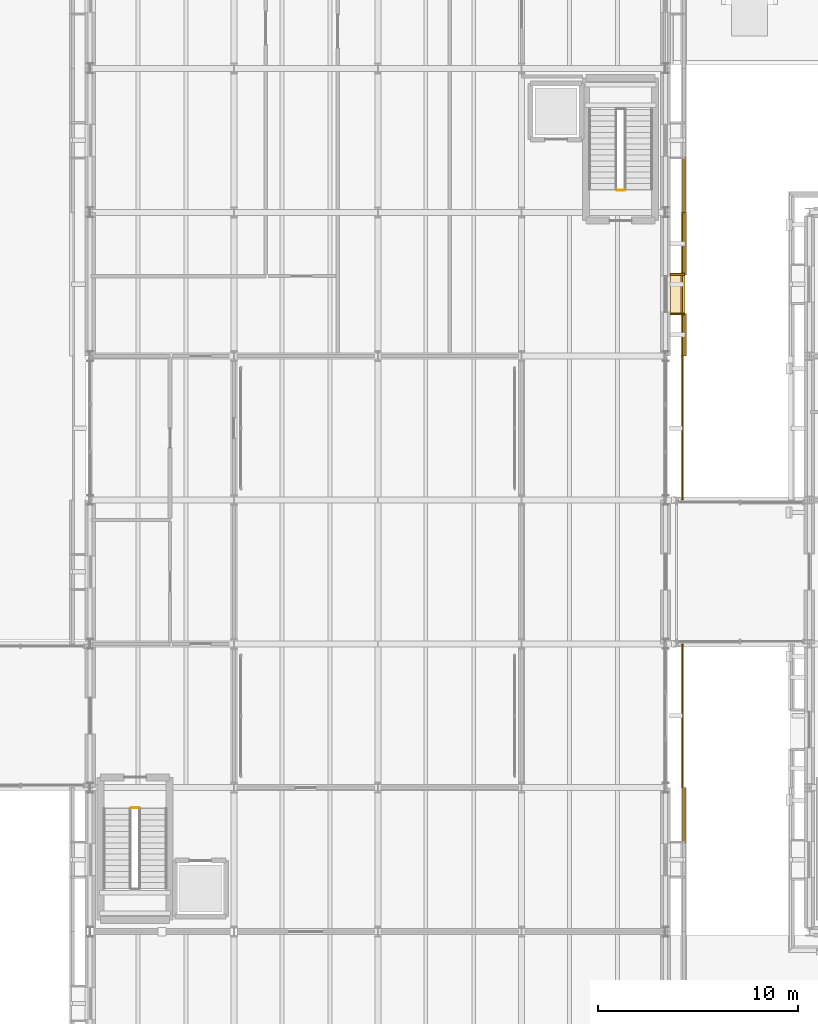
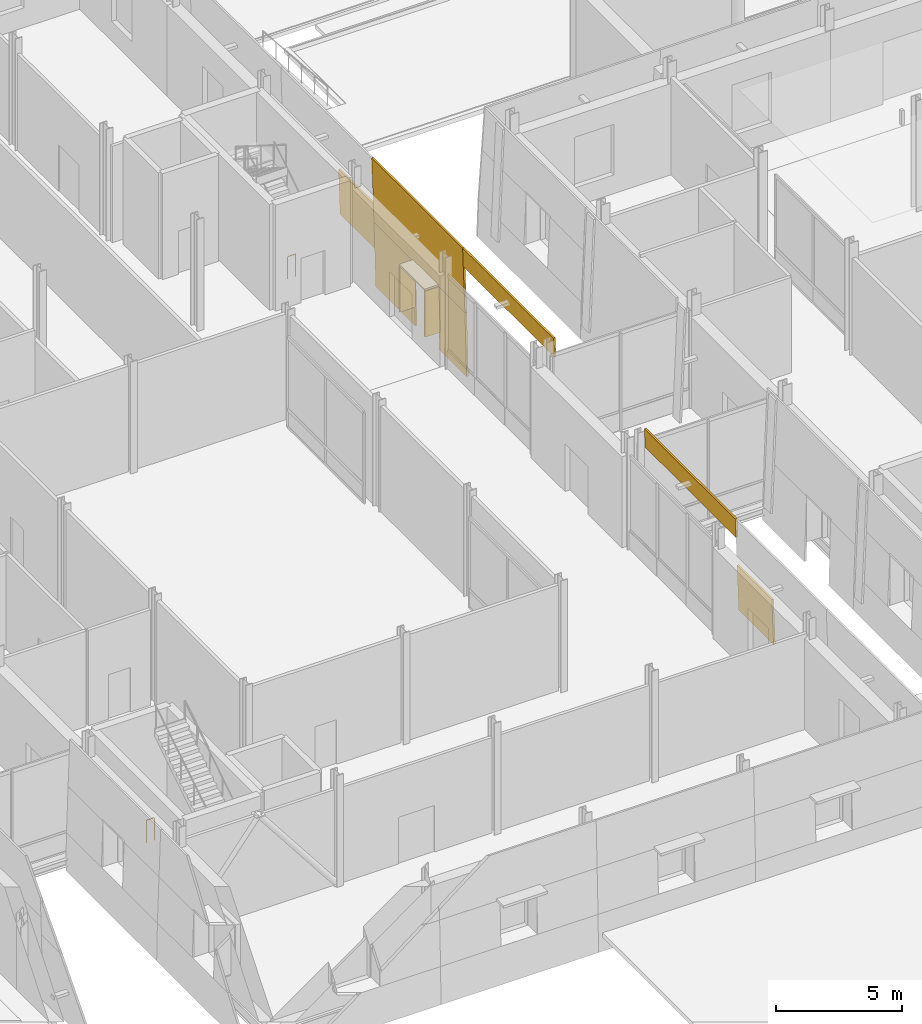
# One storey, part 108 of 120: 10 coverings, 2 railings.
"""IFC4 building model written with IfcOpenShell, lengths in metres."""

from ifc_helpers import new_model, si_unit, direction, frame, origin, origin_2d, place, context, subcontext, project, spatial, polyline, circle, outline, extrude, material, layer, layer_set, type_object, element, save


model = new_model("IFC4")

# Units and contexts
model_context = context("Model", 3, precision=1e-05, world=origin(), true_north=direction((0.0, 1.0)))
body_context = subcontext(model_context, "Body", "Model", "MODEL_VIEW")
ifc_project = project(units=[si_unit("LENGTHUNIT", "METRE"), si_unit("AREAUNIT", "SQUARE_METRE"), si_unit("VOLUMEUNIT", "CUBIC_METRE"), si_unit("PLANEANGLEUNIT", "RADIAN"), si_unit("MASSUNIT", "GRAM", prefix="KILO")], contexts=[model_context])

# Site, building, storey
site_placement = place(None, origin())
site = spatial("IfcSite", under=ifc_project, at=site_placement, CompositionType="ELEMENT")
building_placement = place(site_placement, origin())
building = spatial("IfcBuilding", under=site, at=building_placement, Name="Narikvali Park Central Library", CompositionType="ELEMENT")
storey_placement = place(building_placement, origin())
storey = spatial("IfcBuildingStorey", under=building, at=storey_placement, Name="L00", CompositionType="ELEMENT", Elevation=0.0)

# Coverings
ifc_material_1 = material(Name="White Honed Limestone Cladding", Category="masonry")
ifc_layer_1 = layer(ifc_material_1, 0.0849609375, Name="White Honed Limestone Cladding")
ifc_layer_set_1 = layer_set([ifc_layer_1], Name="White Honed Limestone Cladding")
covering_type_1 = type_object("IfcCoveringType", Name="Battered White Limestone Facade Cladding Panel", PredefinedType="CLADDING", material=ifc_layer_set_1)
covering_1_placement = place(storey_placement, frame((58.60791015625, 62.0400390625, 0.949951171875), z_axis=(0.999435139525, 0.0, 0.033606574995), x_axis=(0.0, 1.0, 0.0)))
element("IfcCovering", 1, at=covering_1_placement, inside=storey, type_object=covering_type_1, Name="V4 L00 E Battered Limestone Jamb Pier R B02", PredefinedType="CLADDING", context=body_context, shape_type="SweptSolid", body=[
    extrude(outline(polyline([(0.0, 0.0), (2.760009765625, 0.0), (2.760009765625, 2.201194539668489), (0.0, 2.201194539668489), (0.0, 0.0)])), origin(), (0.0, 0.0, -1.0), 0.0849609375),
])
for number, where, z_axis, x_axis, name in (
    (2, (58.48828125, 64.800048828125, 4.5), (0.999434628015, 0.0, 0.033621783471), (0.0, 1.0, 0.0), "V4 L00 E Battered Limestone Spandrel Header B03"),
    (3, (58.48828125, 79.199951171875, 4.5), (0.999434628015, 0.0, 0.033621783471), (0.0, 1.0, 0.0), "V4 L00 E Battered Limestone Spandrel Header B05"),
):
    element("IfcCovering", number, at=place(storey_placement, frame(where, z_axis=z_axis, x_axis=x_axis)), inside=storey, type_object=covering_type_1, Name=name, PredefinedType="CLADDING", context=body_context, shape_type="SweptSolid", body=[
        extrude(outline(polyline([(0.0, 0.0), (7.199951171875, 0.0), (7.199951171875, 0.9004114111364925), (0.0, 0.9004114111364925), (0.0, 0.0)])), origin(), (0.0, 0.0, -1.0), 0.0849609375),
    ])
covering_2_placement = place(storey_placement, frame((58.639892578125, 86.39990234375, -0.8798828125), z_axis=(0.999707784782, 0.0, 0.024173229947), x_axis=(0.0, 1.0, 0.0)))
element("IfcCovering", 4, at=covering_2_placement, inside=storey, type_object=covering_type_1, Name="V4 L00 E Battered Portal Pier L B06", PredefinedType="CLADDING", context=body_context, shape_type="SweptSolid", body=[
    extrude(outline(polyline([(0.0, 0.0), (2.14013671875, 0.0), (2.14013671875, 3.120784987740248), (0.0, 3.120784987740248), (0.0, 0.0)])), origin(), (0.0, 0.0, -1.0), 0.0849609375),
])
covering_3_placement = place(storey_placement, frame((58.639892578125, 90.4599609375, -0.8798828125), z_axis=(0.999707784782, 0.0, 0.024173229947), x_axis=(0.0, 1.0, 0.0)))
element("IfcCovering", 5, at=covering_3_placement, inside=storey, type_object=covering_type_1, Name="V4 L00 E Battered Portal Pier R B06", PredefinedType="CLADDING", context=body_context, shape_type="SweptSolid", body=[
    extrude(outline(polyline([(0.0, 0.0), (3.14013671875, 0.0), (3.14013671875, 3.1207849877402474), (0.0, 3.1207849877402474), (0.0, 0.0)])), origin(), (0.0, 0.0, -1.0), 0.0849609375),
])
covering_4_placement = place(storey_placement, frame((58.564453125, 86.39990234375, 2.239990234375), z_axis=(0.999433103653, 0.0, 0.033667065842), x_axis=(0.0, 1.0, 0.0)))
element("IfcCovering", 6, at=covering_4_placement, inside=storey, type_object=covering_type_1, Name="V4 L00 E Battered Portal Header B06", PredefinedType="CLADDING", context=body_context, shape_type="SweptSolid", body=[
    extrude(outline(polyline([(0.0, 0.0), (7.2001953125, 0.0), (7.2001953125, 3.1617044680880575), (0.0, 3.1617044680880575), (0.0, 0.0)])), origin(), (0.0, 0.0, -1.0), 0.0849609375),
])
covering_5_placement = place(storey_placement, frame((58.60791015625, 93.60009765625, 0.949951171875), z_axis=(0.999435139525, 0.0, 0.033606574995), x_axis=(0.0, 1.0, 0.0)))
element("IfcCovering", 7, at=covering_5_placement, inside=storey, type_object=covering_type_1, Name="V4 L00 E Battered Limestone Jamb Pier L B07", PredefinedType="CLADDING", context=body_context, shape_type="SweptSolid", body=[
    extrude(outline(polyline([(0.0, 0.0), (2.760009765625, 0.0), (2.760009765625, 2.201194539668489), (0.0, 2.201194539668489), (0.0, 0.0)])), origin(), (0.0, 0.0, -1.0), 0.0849609375),
])
ifc_layer_2 = layer(ifc_material_1, 0.080078125, Name="White Honed Limestone Cladding")
ifc_layer_set_2 = layer_set([ifc_layer_2], Name="White Honed Limestone Cladding")
covering_type_2 = type_object("IfcCoveringType", Name="Deep Carved White Limestone Window Reveal", PredefinedType="CLADDING", material=ifc_layer_set_2)
covering_6_placement = place(storey_placement, frame((0.0, 0.0, 2.239990234375)))
element("IfcCovering", 8, at=covering_6_placement, inside=storey, type_object=covering_type_2, Name="Deep Stone Reveal Head V4-RVL-L00-E-B06", PredefinedType="CLADDING", context=body_context, shape_type="SweptSolid", body=[
    extrude(outline(polyline([(57.844970703125, 88.5), (57.844970703125, 90.5), (58.564453125, 90.5), (58.564453125, 88.5), (57.844970703125, 88.5)])), origin(), (0.0, 0.0, 1.0), 0.080078125),
])
covering_7_placement = place(storey_placement, frame((0.0, 0.0, 0.02001953125)))
element("IfcCovering", 9, at=covering_7_placement, inside=storey, type_object=covering_type_2, Name="Deep Stone Reveal Jamb L V4-RVL-L00-E-B06", PredefinedType="CLADDING", context=body_context, shape_type="SweptSolid", body=[
    extrude(outline(polyline([(57.844970703125, 88.4599609375), (57.844970703125, 88.5400390625), (58.564453125, 88.5400390625), (58.564453125, 88.4599609375), (57.844970703125, 88.4599609375)])), origin(), (0.0, 0.0, 1.0), 2.219970703125),
])
covering_8_placement = place(storey_placement, frame((0.0, 0.0, 0.02001953125)))
element("IfcCovering", 10, at=covering_8_placement, inside=storey, type_object=covering_type_2, Name="Deep Stone Reveal Jamb R V4-RVL-L00-E-B06", PredefinedType="CLADDING", context=body_context, shape_type="SweptSolid", body=[
    extrude(outline(polyline([(57.844970703125, 90.4599609375), (57.844970703125, 90.5400390625), (58.564453125, 90.5400390625), (58.564453125, 90.4599609375), (57.844970703125, 90.4599609375)])), origin(), (0.0, 0.0, 1.0), 2.219970703125),
])

# Railings
ifc_material_2 = material(Name="Powder-Coated Steel S275", Category="steel")
ifc_layer_3 = layer(ifc_material_2, 0.050048828125, Name="Powder-Coated Steel S275")
ifc_layer_set_3 = layer_set([ifc_layer_3], Name="Powder-Coated Steel S275")
railing_type = type_object("IfcRailingType", Name="Stair Well Steel Guardrail 1100", PredefinedType="GUARDRAIL", material=ifc_layer_set_3)
railing_1_placement = place(storey_placement, frame((30.8701171875, 63.800048828125, 0.0)))
element("IfcRailing", 11, at=railing_1_placement, inside=storey, type_object=railing_type, Name="L00 ST-07 stair guard 4", PredefinedType="GUARDRAIL", context=body_context, shape_type="SweptSolid", body=[
    extrude(circle(Radius=0.02392578125, at=origin_2d()), frame((0.0, 0.0, 1.076171875), z_axis=(1.0, 0.0, 0.0), x_axis=(0.0, 1.0, 0.0)), (0.0, 0.0, 1.0), 0.35986328125),
    extrude(circle(Radius=0.02099609375, at=origin_2d()), origin(), (0.0, 0.0, 1.0), 1.052001953125),
    extrude(circle(Radius=0.02099609375, at=origin_2d()), frame((0.35986328125, 0.0, 0.0)), (0.0, 0.0, 1.0), 1.052001953125),
])
railing_2_placement = place(storey_placement, frame((55.530029296875, 94.699951171875, 0.0)))
element("IfcRailing", 12, at=railing_2_placement, inside=storey, type_object=railing_type, Name="L00 ST-08 stair guard 4", PredefinedType="GUARDRAIL", context=body_context, shape_type="SweptSolid", body=[
    extrude(circle(Radius=0.02392578125, at=origin_2d()), frame((0.0, 0.0, 1.076171875), z_axis=(-1.0, 0.0, 0.0), x_axis=(0.0, -1.0, 0.0)), (0.0, 0.0, 1.0), 0.360107421875),
    extrude(circle(Radius=0.02099609375, at=origin_2d()), origin(), (0.0, 0.0, 1.0), 1.052001953125),
    extrude(circle(Radius=0.02099609375, at=origin_2d()), frame((-0.360107421875, 0.0, 0.0)), (0.0, 0.0, 1.0), 1.052001953125),
])

save(model, "model.ifc")
